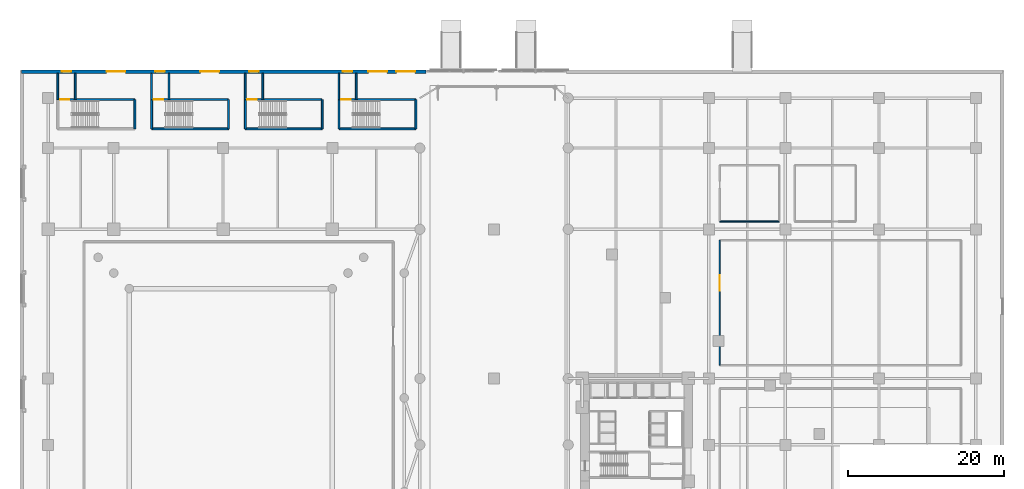
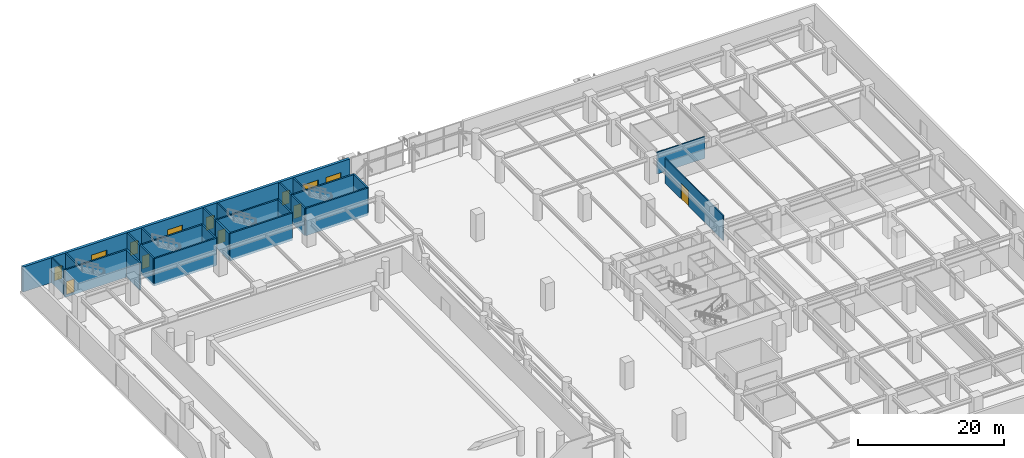
# One storey, part 25 of 42: 25 walls, 13 doors, 13 openings.
"""IFC4 building model written with IfcOpenShell, lengths in metres."""

from ifc_helpers import new_model, si_unit, direction, frame, frame_2d, origin, place, context, subcontext, project, spatial, rectangle, extrude, material, layer, layer_set, type_object, element, fill, save


model = new_model("IFC4")

# Units and contexts
model_context = context("Model", 3, precision=1e-05, world=origin(), true_north=direction((0.0, 1.0)))
body_context = subcontext(model_context, "Body", "Model", "MODEL_VIEW")
ifc_project = project(units=[si_unit("LENGTHUNIT", "METRE"), si_unit("AREAUNIT", "SQUARE_METRE"), si_unit("VOLUMEUNIT", "CUBIC_METRE"), si_unit("PLANEANGLEUNIT", "RADIAN"), si_unit("MASSUNIT", "GRAM", prefix="KILO")], contexts=[model_context])

# Site, building, storey
site_placement = place(None, origin())
site = spatial("IfcSite", under=ifc_project, at=site_placement, CompositionType="ELEMENT")
building_placement = place(site_placement, origin())
building = spatial("IfcBuilding", under=site, at=building_placement, Name="Narakoshi Arena Tower", CompositionType="ELEMENT")
storey_placement = place(building_placement, origin())
storey = spatial("IfcBuildingStorey", under=building, at=storey_placement, Name="L00", CompositionType="ELEMENT", Elevation=0.0)

# Wall, opening, door
ifc_material_1 = material(Name="Gypsum plasterboard fire-rated partition")
ifc_layer_1 = layer(ifc_material_1, 0.1650390625)
ifc_layer_set_1 = layer_set([ifc_layer_1], Name="Gypsum plasterboard fire-rated partition")
wall_type_1 = type_object("IfcWallType", Name="WL-CORR-165", PredefinedType="PARTITIONING", material=ifc_layer_set_1)
wall_1_placement = place(storey_placement, frame((89.60009765625, 74.199951171875, 0.0), z_axis=(0.0, 0.0, 1.0), x_axis=(0.0, -1.0, 0.0)))
wall_1 = element("IfcWall", 1, at=wall_1_placement, inside=storey, type_object=wall_type_1, Name="L00 Observation Express Foyer Wall W", PredefinedType="PARTITIONING", context=body_context, shape_type="SweptSolid", body=[
    extrude(rectangle(XDim=16.0, YDim=0.1650390625, at=frame_2d((8.0, 0.0))), origin(), (0.0, 0.0, 1.0), 4.179931640625),
])
opening_1_placement = place(wall_1_placement, frame((4.47998046875, 0.0, 0.0)))
opening_1 = element("IfcOpeningElement", 2, at=opening_1_placement, cuts=wall_1, Name="Opening D-01", PredefinedType="OPENING", context=body_context, shape_type="SweptSolid", body=[
    extrude(rectangle(XDim=2.0, YDim=2.60009765625, at=frame_2d((1.0, 1.300048828125))), frame((0.0, 0.092529296875, 0.0), z_axis=(0.0, -1.0, 0.0), x_axis=(1.0, 0.0, 0.0)), (0.0, 0.0, 1.0), 0.18505859375),
])
ifc_material_2 = material(Name="Anodised bronze aluminium 6063-T6", Category="aluminium")
door_type_1 = type_object("IfcDoorType", Name="DR-ENT-2000", OperationType="DOUBLE_DOOR_SINGLE_SWING", PredefinedType="DOOR", material=ifc_material_2)
door_1_placement = place(opening_1_placement, frame((2.0, 0.0, 0.0), z_axis=(0.0, 0.0, 1.0), x_axis=(-1.0, 0.0, 0.0)))
door_1 = element("IfcDoor", 3, at=door_1_placement, inside=storey, type_object=door_type_1, Name="DR-L00-058", OperationType="DOUBLE_DOOR_SINGLE_SWING", OverallHeight=2.60009765625, OverallWidth=2.0, PredefinedType="DOOR", context=body_context, shape_type="SweptSolid", body=[
    extrude(rectangle(XDim=2.0, YDim=2.60009765625, at=frame_2d((1.0, 1.300048828125))), frame((0.0, 0.02490234375, 0.0), z_axis=(0.0, -1.0, 0.0), x_axis=(1.0, 0.0, 0.0)), (0.0, 0.0, 1.0), 0.050048828125),
])
fill(opening_1, door_1)

# Wall, openings, doors
ifc_material_3 = material(Name="Precast concrete C45/55", Category="concrete")
ifc_layer_2 = layer(ifc_material_3, 0.419921875)
ifc_layer_set_2 = layer_set([ifc_layer_2], Name="Precast concrete C45/55")
wall_type_2 = type_object("IfcWallType", Name="WL-POD-420", PredefinedType="SOLIDWALL", material=ifc_layer_set_2)
wall_2_placement = place(storey_placement, frame((52.0, 95.7900390625, 0.0), z_axis=(0.0, 0.0, 1.0), x_axis=(-1.0, 0.0, 0.0)))
wall_2 = element("IfcWall", 4, at=wall_2_placement, inside=storey, type_object=wall_type_2, Name="L00 Podium Precast Facade Wall NW", PredefinedType="SOLIDWALL", context=body_context, shape_type="SweptSolid", body=[
    extrude(rectangle(XDim=51.7900390625, YDim=0.419921875, at=frame_2d((25.89501953125, 0.0))), origin(), (0.0, 0.0, 1.0), 4.179931640625),
])
opening_2_placement = place(wall_2_placement, frame((1.39990234375, 0.0, 0.0)))
opening_2 = element("IfcOpeningElement", 5, at=opening_2_placement, cuts=wall_2, Name="Opening D-02", PredefinedType="OPENING", context=body_context, shape_type="SweptSolid", body=[
    extrude(rectangle(XDim=2.39990234375, YDim=2.39990234375, at=frame_2d((1.199951171875, 1.199951171875))), frame((0.0, 0.219970703125, 0.0), z_axis=(0.0, -1.0, 0.0), x_axis=(1.0, 0.0, 0.0)), (0.0, 0.0, 1.0), 0.43994140625),
])
opening_3_placement = place(wall_2_placement, frame((5.0, 0.0, 0.0)))
opening_3 = element("IfcOpeningElement", 6, at=opening_3_placement, cuts=wall_2, Name="Opening D-02", PredefinedType="OPENING", context=body_context, shape_type="SweptSolid", body=[
    extrude(rectangle(XDim=2.39990234375, YDim=2.39990234375, at=frame_2d((1.199951171875, 1.199951171875))), frame((0.0, 0.219970703125, 0.0), z_axis=(0.0, -1.0, 0.0), x_axis=(1.0, 0.0, 0.0)), (0.0, 0.0, 1.0), 0.43994140625),
])
opening_4_placement = place(wall_2_placement, frame((26.5, 0.0, 0.0)))
opening_4 = element("IfcOpeningElement", 7, at=opening_4_placement, cuts=wall_2, Name="Opening D-02", PredefinedType="OPENING", context=body_context, shape_type="SweptSolid", body=[
    extrude(rectangle(XDim=2.39990234375, YDim=2.39990234375, at=frame_2d((1.199951171875, 1.199951171875))), frame((0.0, 0.219970703125, 0.0), z_axis=(0.0, -1.0, 0.0), x_axis=(1.0, 0.0, 0.0)), (0.0, 0.0, 1.0), 0.43994140625),
])
opening_5_placement = place(wall_2_placement, frame((38.5, 0.0, 0.0)))
opening_5 = element("IfcOpeningElement", 8, at=opening_5_placement, cuts=wall_2, Name="Opening D-02", PredefinedType="OPENING", context=body_context, shape_type="SweptSolid", body=[
    extrude(rectangle(XDim=2.39990234375, YDim=2.39990234375, at=frame_2d((1.199951171875, 1.199951171875))), frame((0.0, 0.219970703125, 0.0), z_axis=(0.0, -1.0, 0.0), x_axis=(1.0, 0.0, 0.0)), (0.0, 0.0, 1.0), 0.43994140625),
])
opening_6_placement = place(wall_2_placement, frame((45.449951171875, 0.0, 0.0)))
opening_6 = element("IfcOpeningElement", 9, at=opening_6_placement, cuts=wall_2, Name="Opening D-03", PredefinedType="OPENING", context=body_context, shape_type="SweptSolid", body=[
    extrude(rectangle(XDim=1.199951171875, YDim=2.199951171875, at=frame_2d((0.60009765625, 1.10009765625))), frame((0.0, 0.219970703125, 0.0), z_axis=(0.0, -1.0, 0.0), x_axis=(1.0, 0.0, 0.0)), (0.0, 0.0, 1.0), 0.43994140625),
])
opening_7_placement = place(wall_2_placement, frame((33.449951171875, 0.0, 0.0)))
opening_7 = element("IfcOpeningElement", 10, at=opening_7_placement, cuts=wall_2, Name="Opening D-03", PredefinedType="OPENING", context=body_context, shape_type="SweptSolid", body=[
    extrude(rectangle(XDim=1.199951171875, YDim=2.199951171875, at=frame_2d((0.60009765625, 1.10009765625))), frame((0.0, 0.219970703125, 0.0), z_axis=(0.0, -1.0, 0.0), x_axis=(1.0, 0.0, 0.0)), (0.0, 0.0, 1.0), 0.43994140625),
])
opening_8_placement = place(wall_2_placement, frame((21.449951171875, 0.0, 0.0)))
opening_8 = element("IfcOpeningElement", 11, at=opening_8_placement, cuts=wall_2, Name="Opening D-03", PredefinedType="OPENING", context=body_context, shape_type="SweptSolid", body=[
    extrude(rectangle(XDim=1.199951171875, YDim=2.199951171875, at=frame_2d((0.60009765625, 1.10009765625))), frame((0.0, 0.219970703125, 0.0), z_axis=(0.0, -1.0, 0.0), x_axis=(1.0, 0.0, 0.0)), (0.0, 0.0, 1.0), 0.43994140625),
])
opening_9_placement = place(wall_2_placement, frame((9.449951171875, 0.0, 0.0)))
opening_9 = element("IfcOpeningElement", 12, at=opening_9_placement, cuts=wall_2, Name="Opening D-03", PredefinedType="OPENING", context=body_context, shape_type="SweptSolid", body=[
    extrude(rectangle(XDim=1.199951171875, YDim=2.199951171875, at=frame_2d((0.60009765625, 1.10009765625))), frame((0.0, 0.219970703125, 0.0), z_axis=(0.0, -1.0, 0.0), x_axis=(1.0, 0.0, 0.0)), (0.0, 0.0, 1.0), 0.43994140625),
])
ifc_material_4 = material(Name="Painted galvanized steel", Category="steel")
door_type_2 = type_object("IfcDoorType", Name="DR-ARN-2400", OperationType="DOUBLE_DOOR_SINGLE_SWING", PredefinedType="USERDEFINED", material=ifc_material_4)
door_2_placement = place(opening_2_placement, frame((2.39990234375, 0.0, 0.0), z_axis=(0.0, 0.0, 1.0), x_axis=(-1.0, 0.0, 0.0)))
door_2 = element("IfcDoor", 13, at=door_2_placement, inside=storey, type_object=door_type_2, Name="DR-L00-005", ObjectType="EXITDOOR", OperationType="DOUBLE_DOOR_SINGLE_SWING", OverallHeight=2.39990234375, OverallWidth=2.39990234375, PredefinedType="USERDEFINED", context=body_context, shape_type="SweptSolid", body=[
    extrude(rectangle(XDim=2.39990234375, YDim=2.39990234375, at=frame_2d((1.199951171875, 1.199951171875))), frame((0.0, 0.02490234375, 0.0), z_axis=(0.0, -1.0, 0.0), x_axis=(1.0, 0.0, 0.0)), (0.0, 0.0, 1.0), 0.050048828125),
])
fill(opening_2, door_2)
door_3_placement = place(opening_3_placement, frame((2.39990234375, 0.0, 0.0), z_axis=(0.0, 0.0, 1.0), x_axis=(-1.0, 0.0, 0.0)))
door_3 = element("IfcDoor", 14, at=door_3_placement, inside=storey, type_object=door_type_2, Name="DR-L00-006", ObjectType="EXITDOOR", OperationType="DOUBLE_DOOR_SINGLE_SWING", OverallHeight=2.39990234375, OverallWidth=2.39990234375, PredefinedType="USERDEFINED", context=body_context, shape_type="SweptSolid", body=[
    extrude(rectangle(XDim=2.39990234375, YDim=2.39990234375, at=frame_2d((1.199951171875, 1.199951171875))), frame((0.0, 0.02490234375, 0.0), z_axis=(0.0, -1.0, 0.0), x_axis=(1.0, 0.0, 0.0)), (0.0, 0.0, 1.0), 0.050048828125),
])
fill(opening_3, door_3)
door_4_placement = place(opening_4_placement, frame((2.39990234375, 0.0, 0.0), z_axis=(0.0, 0.0, 1.0), x_axis=(-1.0, 0.0, 0.0)))
door_4 = element("IfcDoor", 15, at=door_4_placement, inside=storey, type_object=door_type_2, Name="DR-L00-007", ObjectType="EXITDOOR", OperationType="DOUBLE_DOOR_SINGLE_SWING", OverallHeight=2.39990234375, OverallWidth=2.39990234375, PredefinedType="USERDEFINED", context=body_context, shape_type="SweptSolid", body=[
    extrude(rectangle(XDim=2.39990234375, YDim=2.39990234375, at=frame_2d((1.199951171875, 1.199951171875))), frame((0.0, 0.02490234375, 0.0), z_axis=(0.0, -1.0, 0.0), x_axis=(1.0, 0.0, 0.0)), (0.0, 0.0, 1.0), 0.050048828125),
])
fill(opening_4, door_4)
door_5_placement = place(opening_5_placement, frame((2.39990234375, 0.0, 0.0), z_axis=(0.0, 0.0, 1.0), x_axis=(-1.0, 0.0, 0.0)))
door_5 = element("IfcDoor", 16, at=door_5_placement, inside=storey, type_object=door_type_2, Name="DR-L00-008", ObjectType="EXITDOOR", OperationType="DOUBLE_DOOR_SINGLE_SWING", OverallHeight=2.39990234375, OverallWidth=2.39990234375, PredefinedType="USERDEFINED", context=body_context, shape_type="SweptSolid", body=[
    extrude(rectangle(XDim=2.39990234375, YDim=2.39990234375, at=frame_2d((1.199951171875, 1.199951171875))), frame((0.0, 0.02490234375, 0.0), z_axis=(0.0, -1.0, 0.0), x_axis=(1.0, 0.0, 0.0)), (0.0, 0.0, 1.0), 0.050048828125),
])
fill(opening_5, door_5)
door_type_3 = type_object("IfcDoorType", Name="DR-STR-1200", OperationType="NOTDEFINED", PredefinedType="USERDEFINED", material=ifc_material_4)
door_6_placement = place(opening_6_placement, frame((1.199951171875, 0.0, 0.0), z_axis=(0.0, 0.0, 1.0), x_axis=(-1.0, 0.0, 0.0)))
door_6 = element("IfcDoor", 17, at=door_6_placement, inside=storey, type_object=door_type_3, Name="DR-L00-013", ObjectType="EXITDOOR", OperationType="SINGLE_SWING_LEFT", OverallHeight=2.199951171875, OverallWidth=1.199951171875, PredefinedType="USERDEFINED", context=body_context, shape_type="SweptSolid", body=[
    extrude(rectangle(XDim=1.199951171875, YDim=2.199951171875, at=frame_2d((0.60009765625, 1.10009765625))), frame((0.0, 0.02490234375, 0.0), z_axis=(0.0, -1.0, 0.0), x_axis=(1.0, 0.0, 0.0)), (0.0, 0.0, 1.0), 0.050048828125),
])
fill(opening_6, door_6)
door_7_placement = place(opening_7_placement, frame((1.199951171875, 0.0, 0.0), z_axis=(0.0, 0.0, 1.0), x_axis=(-1.0, 0.0, 0.0)))
door_7 = element("IfcDoor", 18, at=door_7_placement, inside=storey, type_object=door_type_3, Name="DR-L00-014", ObjectType="EXITDOOR", OperationType="SINGLE_SWING_RIGHT", OverallHeight=2.199951171875, OverallWidth=1.199951171875, PredefinedType="USERDEFINED", context=body_context, shape_type="SweptSolid", body=[
    extrude(rectangle(XDim=1.199951171875, YDim=2.199951171875, at=frame_2d((0.60009765625, 1.10009765625))), frame((0.0, 0.02490234375, 0.0), z_axis=(0.0, -1.0, 0.0), x_axis=(1.0, 0.0, 0.0)), (0.0, 0.0, 1.0), 0.050048828125),
])
fill(opening_7, door_7)
door_8_placement = place(opening_8_placement, frame((1.199951171875, 0.0, 0.0), z_axis=(0.0, 0.0, 1.0), x_axis=(-1.0, 0.0, 0.0)))
door_8 = element("IfcDoor", 19, at=door_8_placement, inside=storey, type_object=door_type_3, Name="DR-L00-015", ObjectType="EXITDOOR", OperationType="SINGLE_SWING_LEFT", OverallHeight=2.199951171875, OverallWidth=1.199951171875, PredefinedType="USERDEFINED", context=body_context, shape_type="SweptSolid", body=[
    extrude(rectangle(XDim=1.199951171875, YDim=2.199951171875, at=frame_2d((0.60009765625, 1.10009765625))), frame((0.0, 0.02490234375, 0.0), z_axis=(0.0, -1.0, 0.0), x_axis=(1.0, 0.0, 0.0)), (0.0, 0.0, 1.0), 0.050048828125),
])
fill(opening_8, door_8)
door_9_placement = place(opening_9_placement, frame((1.199951171875, 0.0, 0.0), z_axis=(0.0, 0.0, 1.0), x_axis=(-1.0, 0.0, 0.0)))
door_9 = element("IfcDoor", 20, at=door_9_placement, inside=storey, type_object=door_type_3, Name="DR-L00-016", ObjectType="EXITDOOR", OperationType="SINGLE_SWING_RIGHT", OverallHeight=2.199951171875, OverallWidth=1.199951171875, PredefinedType="USERDEFINED", context=body_context, shape_type="SweptSolid", body=[
    extrude(rectangle(XDim=1.199951171875, YDim=2.199951171875, at=frame_2d((0.60009765625, 1.10009765625))), frame((0.0, 0.02490234375, 0.0), z_axis=(0.0, -1.0, 0.0), x_axis=(1.0, 0.0, 0.0)), (0.0, 0.0, 1.0), 0.050048828125),
])
fill(opening_9, door_9)

# Wall
ifc_material_5 = material(Name="Concrete C50/60", Category="concrete")
ifc_layer_3 = layer(ifc_material_5, 0.35009765625)
ifc_layer_set_3 = layer_set([ifc_layer_3], Name="Concrete C50/60")
wall_type_3 = type_object("IfcWallType", Name="WL-SHAFT-350", PredefinedType="SOLIDWALL", material=ifc_layer_set_3)
wall_3_placement = place(storey_placement, frame((14.699951171875, 88.449951171875, -0.39990234375), z_axis=(0.0, 0.0, 1.0), x_axis=(0.0, 1.0, 0.0)))
element("IfcWall", 21, at=wall_3_placement, inside=storey, type_object=wall_type_3, Name="L00 AST5 Enclosure Wall E", PredefinedType="SOLIDWALL", context=body_context, shape_type="SweptSolid", body=[
    extrude(rectangle(XDim=3.75, YDim=0.25, at=frame_2d((1.875, 0.0))), origin(), (0.0, 0.0, 1.0), 4.579833984375),
])

# Wall, opening, door
wall_4_placement = place(storey_placement, frame((4.85009765625, 92.199951171875, -0.39990234375), z_axis=(0.0, 0.0, 1.0), x_axis=(1.0, 0.0, 0.0)))
wall_4 = element("IfcWall", 22, at=wall_4_placement, inside=storey, type_object=wall_type_3, Name="L00 AST5 Enclosure Wall B", PredefinedType="SOLIDWALL", context=body_context, shape_type="SweptSolid", body=[
    extrude(rectangle(XDim=9.849853515625, YDim=0.25, at=frame_2d((4.9248046875, 0.0))), origin(), (0.0, 0.0, 1.0), 4.579833984375),
])
opening_10_placement = place(wall_4_placement, frame((0.280029296875, 0.0, 0.39990234375)))
opening_10 = element("IfcOpeningElement", 23, at=opening_10_placement, cuts=wall_4, Name="Opening D-03", PredefinedType="OPENING", context=body_context, shape_type="SweptSolid", body=[
    extrude(rectangle(XDim=1.199951171875, YDim=2.199951171875, at=frame_2d((0.60009765625, 1.10009765625))), frame((0.0, 0.135009765625, 0.0), z_axis=(0.0, -1.0, 0.0), x_axis=(1.0, 0.0, 0.0)), (0.0, 0.0, 1.0), 0.27001953125),
])
door_10_placement = place(opening_10_placement, origin())
door_10 = element("IfcDoor", 24, at=door_10_placement, inside=storey, type_object=door_type_3, Name="DR-L00-052", ObjectType="EXITDOOR", OperationType="SINGLE_SWING_LEFT", OverallHeight=2.199951171875, OverallWidth=1.199951171875, PredefinedType="USERDEFINED", context=body_context, shape_type="SweptSolid", body=[
    extrude(rectangle(XDim=1.199951171875, YDim=2.199951171875, at=frame_2d((0.60009765625, 1.10009765625))), frame((0.0, 0.02490234375, 0.0), z_axis=(0.0, -1.0, 0.0), x_axis=(1.0, 0.0, 0.0)), (0.0, 0.0, 1.0), 0.050048828125),
])
fill(opening_10, door_10)

# Walls
for number, where, z_axis, x_axis, name in (
    (25, (4.830078125, 92.199951171875, 0.0), (0.0, 0.0, 1.0), (0.0, 1.0, 0.0), "L00 Protected Exit Passageway AST5 Wall W"),
    (26, (7.070068359375, 92.199951171875, 0.0), (0.0, 0.0, 1.0), (0.0, 1.0, 0.0), "L00 Protected Exit Passageway AST5 Wall E"),
):
    element("IfcWall", number, at=place(storey_placement, frame(where, z_axis=z_axis, x_axis=x_axis)), inside=storey, type_object=wall_type_3, Name=name, PredefinedType="SOLIDWALL", context=body_context, shape_type="SweptSolid", body=[
        extrude(rectangle(XDim=3.380126953125, YDim=0.219970703125, at=frame_2d((1.68994140625, 0.0))), origin(), (0.0, 0.0, 1.0), 4.179931640625),
    ])
for number, where, z_axis, x_axis, name in (
    (27, (16.85009765625, 88.449951171875, -0.39990234375), (0.0, 0.0, 1.0), (0.0, 1.0, 0.0), "L00 AST6 Enclosure Wall W"),
    (28, (26.699951171875, 88.449951171875, -0.39990234375), (0.0, 0.0, 1.0), (0.0, 1.0, 0.0), "L00 AST6 Enclosure Wall E"),
):
    element("IfcWall", number, at=place(storey_placement, frame(where, z_axis=z_axis, x_axis=x_axis)), inside=storey, type_object=wall_type_3, Name=name, PredefinedType="SOLIDWALL", context=body_context, shape_type="SweptSolid", body=[
        extrude(rectangle(XDim=3.75, YDim=0.25, at=frame_2d((1.875, 0.0))), origin(), (0.0, 0.0, 1.0), 4.579833984375),
    ])

# Wall, opening, door
wall_5_placement = place(storey_placement, frame((16.85009765625, 92.199951171875, -0.39990234375), z_axis=(0.0, 0.0, 1.0), x_axis=(1.0, 0.0, 0.0)))
wall_5 = element("IfcWall", 29, at=wall_5_placement, inside=storey, type_object=wall_type_3, Name="L00 AST6 Enclosure Wall B", PredefinedType="SOLIDWALL", context=body_context, shape_type="SweptSolid", body=[
    extrude(rectangle(XDim=9.849853515625, YDim=0.25, at=frame_2d((4.9248046875, 0.0))), origin(), (0.0, 0.0, 1.0), 4.579833984375),
])
opening_11_placement = place(wall_5_placement, frame((0.280029296875, 0.0, 0.39990234375)))
opening_11 = element("IfcOpeningElement", 30, at=opening_11_placement, cuts=wall_5, Name="Opening D-03", PredefinedType="OPENING", context=body_context, shape_type="SweptSolid", body=[
    extrude(rectangle(XDim=1.199951171875, YDim=2.199951171875, at=frame_2d((0.60009765625, 1.10009765625))), frame((0.0, 0.135009765625, 0.0), z_axis=(0.0, -1.0, 0.0), x_axis=(1.0, 0.0, 0.0)), (0.0, 0.0, 1.0), 0.27001953125),
])
door_11_placement = place(opening_11_placement, origin())
door_11 = element("IfcDoor", 31, at=door_11_placement, inside=storey, type_object=door_type_3, Name="DR-L00-053", ObjectType="EXITDOOR", OperationType="SINGLE_SWING_RIGHT", OverallHeight=2.199951171875, OverallWidth=1.199951171875, PredefinedType="USERDEFINED", context=body_context, shape_type="SweptSolid", body=[
    extrude(rectangle(XDim=1.199951171875, YDim=2.199951171875, at=frame_2d((0.60009765625, 1.10009765625))), frame((0.0, 0.02490234375, 0.0), z_axis=(0.0, -1.0, 0.0), x_axis=(1.0, 0.0, 0.0)), (0.0, 0.0, 1.0), 0.050048828125),
])
fill(opening_11, door_11)

# Walls
wall_6_placement = place(storey_placement, frame((16.85009765625, 88.449951171875, -0.39990234375), z_axis=(0.0, 0.0, 1.0), x_axis=(1.0, 0.0, 0.0)))
element("IfcWall", 32, at=wall_6_placement, inside=storey, type_object=wall_type_3, Name="L00 AST6 Landing Door Wall", PredefinedType="SOLIDWALL", context=body_context, shape_type="SweptSolid", body=[
    extrude(rectangle(XDim=9.849853515625, YDim=0.25, at=frame_2d((4.9248046875, 0.0))), origin(), (0.0, 0.0, 1.0), 4.579833984375),
])
for number, where, z_axis, x_axis, name in (
    (33, (16.830078125, 92.199951171875, 0.0), (0.0, 0.0, 1.0), (0.0, 1.0, 0.0), "L00 Protected Exit Passageway AST6 Wall W"),
    (34, (19.070068359375, 92.199951171875, 0.0), (0.0, 0.0, 1.0), (0.0, 1.0, 0.0), "L00 Protected Exit Passageway AST6 Wall E"),
):
    element("IfcWall", number, at=place(storey_placement, frame(where, z_axis=z_axis, x_axis=x_axis)), inside=storey, type_object=wall_type_3, Name=name, PredefinedType="SOLIDWALL", context=body_context, shape_type="SweptSolid", body=[
        extrude(rectangle(XDim=3.380126953125, YDim=0.219970703125, at=frame_2d((1.68994140625, 0.0))), origin(), (0.0, 0.0, 1.0), 4.179931640625),
    ])
for number, where, z_axis, x_axis, name in (
    (35, (28.85009765625, 88.449951171875, -0.39990234375), (0.0, 0.0, 1.0), (0.0, 1.0, 0.0), "L00 AST7 Enclosure Wall W"),
    (36, (38.699951171875, 88.449951171875, -0.39990234375), (0.0, 0.0, 1.0), (0.0, 1.0, 0.0), "L00 AST7 Enclosure Wall E"),
):
    element("IfcWall", number, at=place(storey_placement, frame(where, z_axis=z_axis, x_axis=x_axis)), inside=storey, type_object=wall_type_3, Name=name, PredefinedType="SOLIDWALL", context=body_context, shape_type="SweptSolid", body=[
        extrude(rectangle(XDim=3.75, YDim=0.25, at=frame_2d((1.875, 0.0))), origin(), (0.0, 0.0, 1.0), 4.579833984375),
    ])

# Wall, opening, door
wall_7_placement = place(storey_placement, frame((28.85009765625, 92.199951171875, -0.39990234375), z_axis=(0.0, 0.0, 1.0), x_axis=(1.0, 0.0, 0.0)))
wall_7 = element("IfcWall", 37, at=wall_7_placement, inside=storey, type_object=wall_type_3, Name="L00 AST7 Enclosure Wall B", PredefinedType="SOLIDWALL", context=body_context, shape_type="SweptSolid", body=[
    extrude(rectangle(XDim=9.849853515625, YDim=0.25, at=frame_2d((4.9248046875, 0.0))), origin(), (0.0, 0.0, 1.0), 4.579833984375),
])
opening_12_placement = place(wall_7_placement, frame((0.280029296875, 0.0, 0.39990234375)))
opening_12 = element("IfcOpeningElement", 38, at=opening_12_placement, cuts=wall_7, Name="Opening D-03", PredefinedType="OPENING", context=body_context, shape_type="SweptSolid", body=[
    extrude(rectangle(XDim=1.199951171875, YDim=2.199951171875, at=frame_2d((0.60009765625, 1.10009765625))), frame((0.0, 0.135009765625, 0.0), z_axis=(0.0, -1.0, 0.0), x_axis=(1.0, 0.0, 0.0)), (0.0, 0.0, 1.0), 0.27001953125),
])
door_12_placement = place(opening_12_placement, origin())
door_12 = element("IfcDoor", 39, at=door_12_placement, inside=storey, type_object=door_type_3, Name="DR-L00-054", ObjectType="EXITDOOR", OperationType="SINGLE_SWING_LEFT", OverallHeight=2.199951171875, OverallWidth=1.199951171875, PredefinedType="USERDEFINED", context=body_context, shape_type="SweptSolid", body=[
    extrude(rectangle(XDim=1.199951171875, YDim=2.199951171875, at=frame_2d((0.60009765625, 1.10009765625))), frame((0.0, 0.02490234375, 0.0), z_axis=(0.0, -1.0, 0.0), x_axis=(1.0, 0.0, 0.0)), (0.0, 0.0, 1.0), 0.050048828125),
])
fill(opening_12, door_12)

# Walls
wall_8_placement = place(storey_placement, frame((28.85009765625, 88.449951171875, -0.39990234375), z_axis=(0.0, 0.0, 1.0), x_axis=(1.0, 0.0, 0.0)))
element("IfcWall", 40, at=wall_8_placement, inside=storey, type_object=wall_type_3, Name="L00 AST7 Landing Door Wall", PredefinedType="SOLIDWALL", context=body_context, shape_type="SweptSolid", body=[
    extrude(rectangle(XDim=9.849853515625, YDim=0.25, at=frame_2d((4.9248046875, 0.0))), origin(), (0.0, 0.0, 1.0), 4.579833984375),
])
for number, where, z_axis, x_axis, name in (
    (41, (28.830078125, 92.199951171875, 0.0), (0.0, 0.0, 1.0), (0.0, 1.0, 0.0), "L00 Protected Exit Passageway AST7 Wall W"),
    (42, (31.070068359375, 92.199951171875, 0.0), (0.0, 0.0, 1.0), (0.0, 1.0, 0.0), "L00 Protected Exit Passageway AST7 Wall E"),
):
    element("IfcWall", number, at=place(storey_placement, frame(where, z_axis=z_axis, x_axis=x_axis)), inside=storey, type_object=wall_type_3, Name=name, PredefinedType="SOLIDWALL", context=body_context, shape_type="SweptSolid", body=[
        extrude(rectangle(XDim=3.380126953125, YDim=0.219970703125, at=frame_2d((1.68994140625, 0.0))), origin(), (0.0, 0.0, 1.0), 4.179931640625),
    ])
for number, where, z_axis, x_axis, name in (
    (43, (40.85009765625, 88.449951171875, -0.39990234375), (0.0, 0.0, 1.0), (0.0, 1.0, 0.0), "L00 AST8 Enclosure Wall W"),
    (44, (50.699951171875, 88.449951171875, -0.39990234375), (0.0, 0.0, 1.0), (0.0, 1.0, 0.0), "L00 AST8 Enclosure Wall E"),
):
    element("IfcWall", number, at=place(storey_placement, frame(where, z_axis=z_axis, x_axis=x_axis)), inside=storey, type_object=wall_type_3, Name=name, PredefinedType="SOLIDWALL", context=body_context, shape_type="SweptSolid", body=[
        extrude(rectangle(XDim=3.75, YDim=0.25, at=frame_2d((1.875, 0.0))), origin(), (0.0, 0.0, 1.0), 4.579833984375),
    ])

# Wall, opening, door
wall_9_placement = place(storey_placement, frame((40.85009765625, 92.199951171875, -0.39990234375), z_axis=(0.0, 0.0, 1.0), x_axis=(1.0, 0.0, 0.0)))
wall_9 = element("IfcWall", 45, at=wall_9_placement, inside=storey, type_object=wall_type_3, Name="L00 AST8 Enclosure Wall B", PredefinedType="SOLIDWALL", context=body_context, shape_type="SweptSolid", body=[
    extrude(rectangle(XDim=9.849853515625, YDim=0.25, at=frame_2d((4.9248046875, 0.0))), origin(), (0.0, 0.0, 1.0), 4.579833984375),
])
opening_13_placement = place(wall_9_placement, frame((0.280029296875, 0.0, 0.39990234375)))
opening_13 = element("IfcOpeningElement", 46, at=opening_13_placement, cuts=wall_9, Name="Opening D-03", PredefinedType="OPENING", context=body_context, shape_type="SweptSolid", body=[
    extrude(rectangle(XDim=1.199951171875, YDim=2.199951171875, at=frame_2d((0.60009765625, 1.10009765625))), frame((0.0, 0.135009765625, 0.0), z_axis=(0.0, -1.0, 0.0), x_axis=(1.0, 0.0, 0.0)), (0.0, 0.0, 1.0), 0.27001953125),
])
door_13_placement = place(opening_13_placement, origin())
door_13 = element("IfcDoor", 47, at=door_13_placement, inside=storey, type_object=door_type_3, Name="DR-L00-055", ObjectType="EXITDOOR", OperationType="SINGLE_SWING_RIGHT", OverallHeight=2.199951171875, OverallWidth=1.199951171875, PredefinedType="USERDEFINED", context=body_context, shape_type="SweptSolid", body=[
    extrude(rectangle(XDim=1.199951171875, YDim=2.199951171875, at=frame_2d((0.60009765625, 1.10009765625))), frame((0.0, 0.02490234375, 0.0), z_axis=(0.0, -1.0, 0.0), x_axis=(1.0, 0.0, 0.0)), (0.0, 0.0, 1.0), 0.050048828125),
])
fill(opening_13, door_13)

# Walls
wall_10_placement = place(storey_placement, frame((40.85009765625, 88.449951171875, -0.39990234375), z_axis=(0.0, 0.0, 1.0), x_axis=(1.0, 0.0, 0.0)))
element("IfcWall", 48, at=wall_10_placement, inside=storey, type_object=wall_type_3, Name="L00 AST8 Landing Door Wall", PredefinedType="SOLIDWALL", context=body_context, shape_type="SweptSolid", body=[
    extrude(rectangle(XDim=9.849853515625, YDim=0.25, at=frame_2d((4.9248046875, 0.0))), origin(), (0.0, 0.0, 1.0), 4.579833984375),
])
for number, where, z_axis, x_axis, name in (
    (49, (40.830078125, 92.199951171875, 0.0), (0.0, 0.0, 1.0), (0.0, 1.0, 0.0), "L00 Protected Exit Passageway AST8 Wall W"),
    (50, (43.070068359375, 92.199951171875, 0.0), (0.0, 0.0, 1.0), (0.0, 1.0, 0.0), "L00 Protected Exit Passageway AST8 Wall E"),
):
    element("IfcWall", number, at=place(storey_placement, frame(where, z_axis=z_axis, x_axis=x_axis)), inside=storey, type_object=wall_type_3, Name=name, PredefinedType="SOLIDWALL", context=body_context, shape_type="SweptSolid", body=[
        extrude(rectangle(XDim=3.380126953125, YDim=0.219970703125, at=frame_2d((1.68994140625, 0.0))), origin(), (0.0, 0.0, 1.0), 4.179931640625),
    ])
ifc_material_6 = material(Name="Moisture-resistant cement-board partition")
ifc_layer_4 = layer(ifc_material_6, 0.14501953125)
ifc_layer_set_4 = layer_set([ifc_layer_4], Name="Moisture-resistant cement-board partition")
wall_type_4 = type_object("IfcWallType", Name="WL-WET-145", PredefinedType="PARTITIONING", material=ifc_layer_set_4)
wall_11_placement = place(storey_placement, frame((89.60009765625, 76.60009765625, 0.0), z_axis=(0.0, 0.0, 1.0), x_axis=(1.0, 0.0, 0.0)))
element("IfcWall", 51, at=wall_11_placement, inside=storey, type_object=wall_type_4, Name="L00 Public Male Restroom WC Wall S", PredefinedType="PARTITIONING", context=body_context, shape_type="SweptSolid", body=[
    extrude(rectangle(XDim=7.599853515625, YDim=0.14501953125, at=frame_2d((3.7998046875, 0.0))), origin(), (0.0, 0.0, 1.0), 3.6650390625),
])

save(model, "model.ifc")
